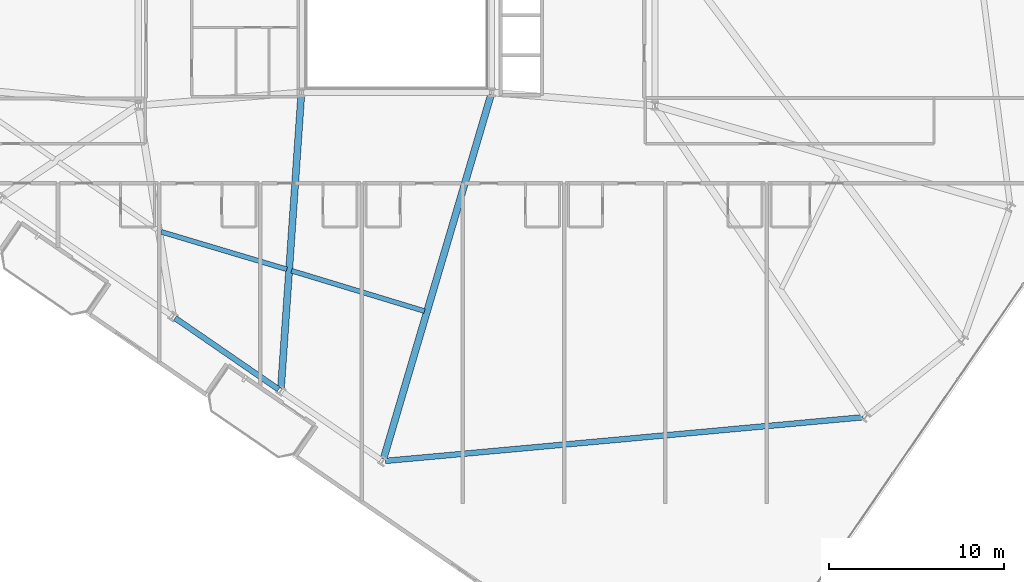
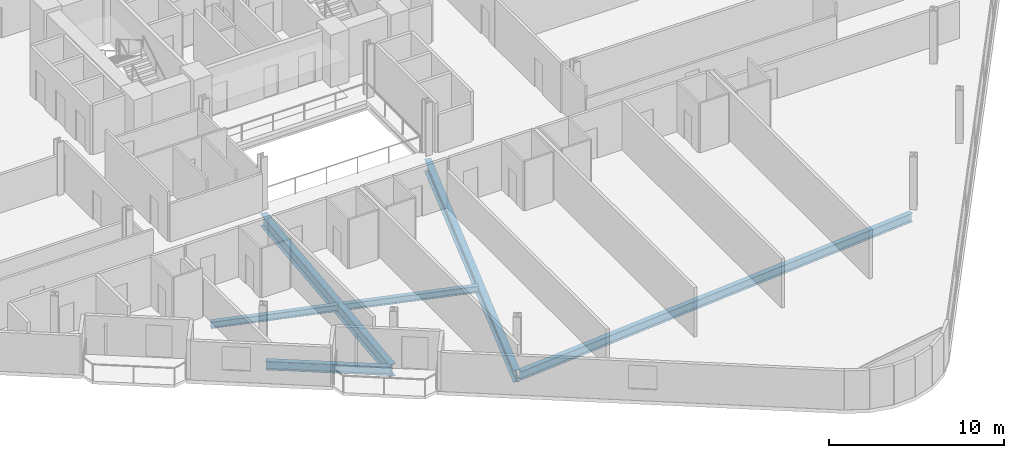
# One storey, part 3 of 27: 6 beams.
"""IFC4 building model written with IfcOpenShell, lengths in metres."""

from ifc_helpers import new_model, si_unit, direction, frame, origin, origin_2d, place, context, subcontext, project, spatial, i_section, extrude, material, material_profile, profile_set, type_object, element, save


model = new_model("IFC4")

# Units and contexts
model_context = context("Model", 3, precision=1e-05, world=origin(), true_north=direction((0.0, 1.0)))
body_context = subcontext(model_context, "Body", "Model", "MODEL_VIEW")
ifc_project = project(units=[si_unit("LENGTHUNIT", "METRE"), si_unit("AREAUNIT", "SQUARE_METRE"), si_unit("VOLUMEUNIT", "CUBIC_METRE"), si_unit("PLANEANGLEUNIT", "RADIAN"), si_unit("MASSUNIT", "GRAM", prefix="KILO")], contexts=[model_context])

# Site, building, storey
site_placement = place(None, origin())
site = spatial("IfcSite", under=ifc_project, at=site_placement, CompositionType="ELEMENT")
building_placement = place(site_placement, origin())
building = spatial("IfcBuilding", under=site, at=building_placement, Name="Varnelok Gate Tower", CompositionType="ELEMENT")
storey_placement = place(building_placement, frame((0.0, 0.0, 60.300048828125)))
storey = spatial("IfcBuildingStorey", under=building, at=storey_placement, Name="L14", CompositionType="ELEMENT", Elevation=60.300048828125)

# Beams
ifc_material = material(Name="Structural Steel ASTM A992 Grade 50", Category="steel")
ifc_material_profile_1 = material_profile(ifc_material, i_section(OverallWidth=0.280029296875, OverallDepth=0.462890625, WebThickness=0.0107421875, FlangeThickness=0.017333984375, FilletRadius=0.014892578125, at=origin_2d()), Name="W18X76")
ifc_profile_set_1 = profile_set([ifc_material_profile_1], Name="Structural Steel ASTM A992 Grade 50")
beam_type_1 = type_object("IfcBeamType", Name="BM-JST-W18X76", PredefinedType="JOIST", material=ifc_profile_set_1)
beam_1_placement = place(storey_placement, frame((25.718994140625, 11.563232421875, -0.4814453125), z_axis=(0.958203180406, -0.286088561568, 0.0), x_axis=(0.286088561568, 0.958203180406, 0.0)))
element("IfcBeam", 1, at=beam_1_placement, inside=storey, type_object=beam_type_1, Name="L14 Sector Floor Joist 3", PredefinedType="JOIST", context=body_context, shape_type="SweptSolid", body=[
    extrude(i_section(OverallWidth=0.280029296875, OverallDepth=0.462890625, WebThickness=0.0107421875, FlangeThickness=0.017333984375, FilletRadius=0.014892578125, at=origin_2d()), origin(), (0.0, 0.0, 1.0), 7.507080078125),
])
beam_2_placement = place(storey_placement, frame((33.180419921875, 9.3349609375, -0.4814453125), z_axis=(0.956869931833, -0.290516666568, 0.0), x_axis=(0.290516666568, 0.956869931833, 0.0)))
element("IfcBeam", 2, at=beam_2_placement, inside=storey, type_object=beam_type_1, Name="L14 Sector Floor Joist 4", PredefinedType="JOIST", context=body_context, shape_type="SweptSolid", body=[
    extrude(i_section(OverallWidth=0.280029296875, OverallDepth=0.462890625, WebThickness=0.0107421875, FlangeThickness=0.017333984375, FilletRadius=0.014892578125, at=origin_2d()), origin(), (0.0, 0.0, 1.0), 7.96923828125),
])
ifc_material_profile_2 = material_profile(ifc_material, i_section(OverallWidth=0.39892578125, OverallDepth=0.85498046875, WebThickness=0.018310546875, FlangeThickness=0.029296875, FilletRadius=0.02392578125, at=origin_2d()), Name="W33X201")
ifc_profile_set_2 = profile_set([ifc_material_profile_2], Name="Structural Steel ASTM A992 Grade 50")
beam_type_2 = type_object("IfcBeamType", Name="BM-PRI-W33X201", PredefinedType="BEAM", material=ifc_profile_set_2)
beam_3_placement = place(storey_placement, frame((33.73974609375, 19.400390625, -0.677490234375), z_axis=(-0.068990652765, -0.997617306301, 0.0), x_axis=(0.997617306301, -0.068990652765, 0.0)))
element("IfcBeam", 3, at=beam_3_placement, inside=storey, type_object=beam_type_2, Name="L14 Radial Floor Girder 4", PredefinedType="BEAM", context=body_context, shape_type="SweptSolid", body=[
    extrude(i_section(OverallWidth=0.39892578125, OverallDepth=0.85498046875, WebThickness=0.018310546875, FlangeThickness=0.029296875, FilletRadius=0.02392578125, at=origin_2d()), origin(), (0.0, 0.0, 1.0), 16.8408203125),
])
beam_4_placement = place(storey_placement, frame((44.607421875, 19.406005859375, -0.677490234375), z_axis=(-0.283059829362, -0.959102253673, 0.0), x_axis=(0.959102253673, -0.283059829362, 0.0)))
element("IfcBeam", 4, at=beam_4_placement, inside=storey, type_object=beam_type_2, Name="L14 Radial Floor Girder 5", PredefinedType="BEAM", context=body_context, shape_type="SweptSolid", body=[
    extrude(i_section(OverallWidth=0.39892578125, OverallDepth=0.85498046875, WebThickness=0.018310546875, FlangeThickness=0.029296875, FilletRadius=0.02392578125, at=origin_2d()), origin(), (0.0, 0.0, 1.0), 21.728271484375),
])
ifc_material_profile_3 = material_profile(ifc_material, i_section(OverallWidth=0.323974609375, OverallDepth=0.611083984375, WebThickness=0.0126953125, FlangeThickness=0.01904296875, FilletRadius=0.01806640625, at=origin_2d()), Name="W24X104")
ifc_profile_set_3 = profile_set([ifc_material_profile_3], Name="Structural Steel ASTM A992 Grade 50")
beam_type_3 = type_object("IfcBeamType", Name="BM-SPN-W24X104", PredefinedType="SPANDREL", material=ifc_profile_set_3)
beam_5_placement = place(storey_placement, frame((26.5146484375, 6.619384765625, -0.5556640625), z_axis=(0.823539986654, -0.56725822196, 0.0), x_axis=(0.56725822196, 0.823539986654, 0.0)))
element("IfcBeam", 5, at=beam_5_placement, inside=storey, type_object=beam_type_3, Name="L14 Perimeter Spandrel Beam 3", PredefinedType="SPANDREL", context=body_context, shape_type="SweptSolid", body=[
    extrude(i_section(OverallWidth=0.323974609375, OverallDepth=0.611083984375, WebThickness=0.0126953125, FlangeThickness=0.01904296875, FilletRadius=0.01806640625, at=origin_2d()), origin(), (0.0, 0.0, 1.0), 7.199951171875),
])
beam_6_placement = place(storey_placement, frame((38.56396484375, -1.563720703125, -0.5556640625), z_axis=(0.995845891963, 0.091054705864, 0.0), x_axis=(-0.091054705864, 0.995845891963, 0.0)))
element("IfcBeam", 6, at=beam_6_placement, inside=storey, type_object=beam_type_3, Name="L14 Perimeter Spandrel Beam 5", PredefinedType="SPANDREL", context=body_context, shape_type="SweptSolid", body=[
    extrude(i_section(OverallWidth=0.323974609375, OverallDepth=0.611083984375, WebThickness=0.0126953125, FlangeThickness=0.01904296875, FilletRadius=0.01806640625, at=origin_2d()), origin(), (0.0, 0.0, 1.0), 27.485595703125),
])

save(model, "model.ifc")
